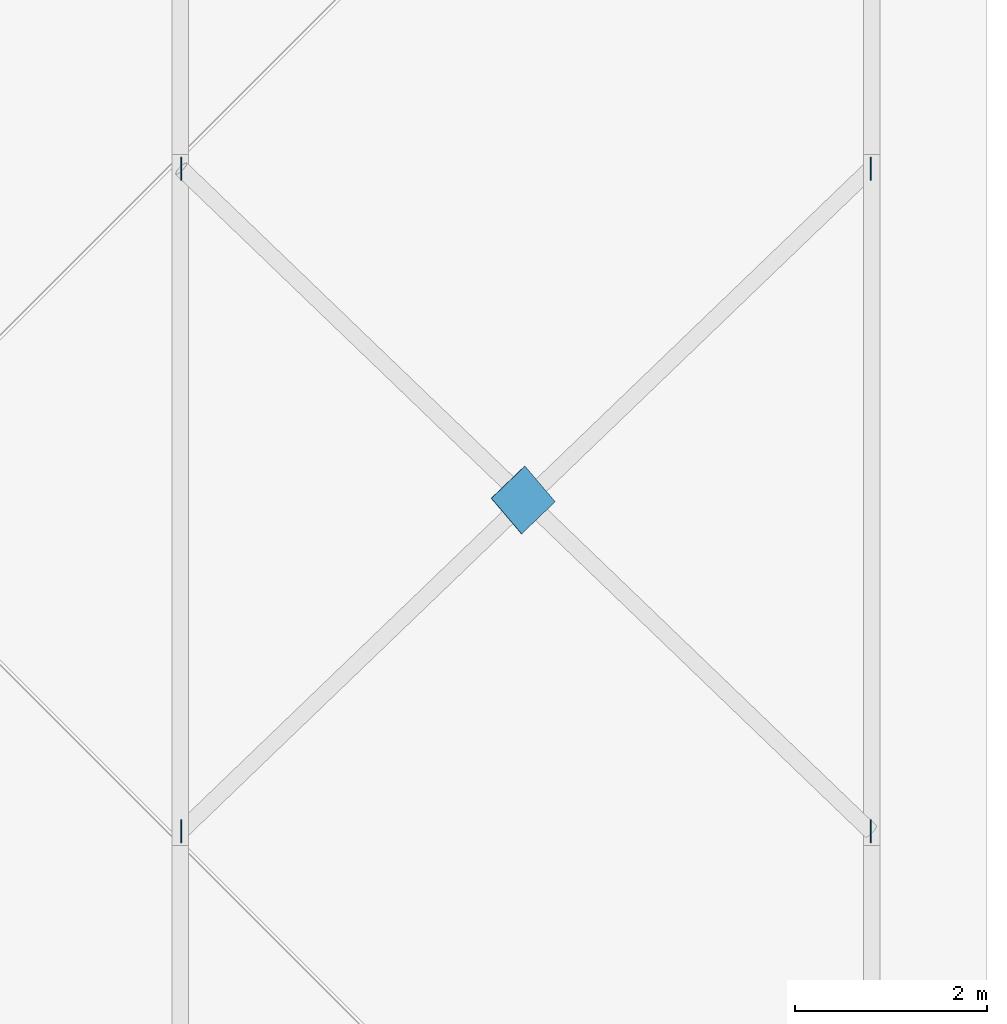
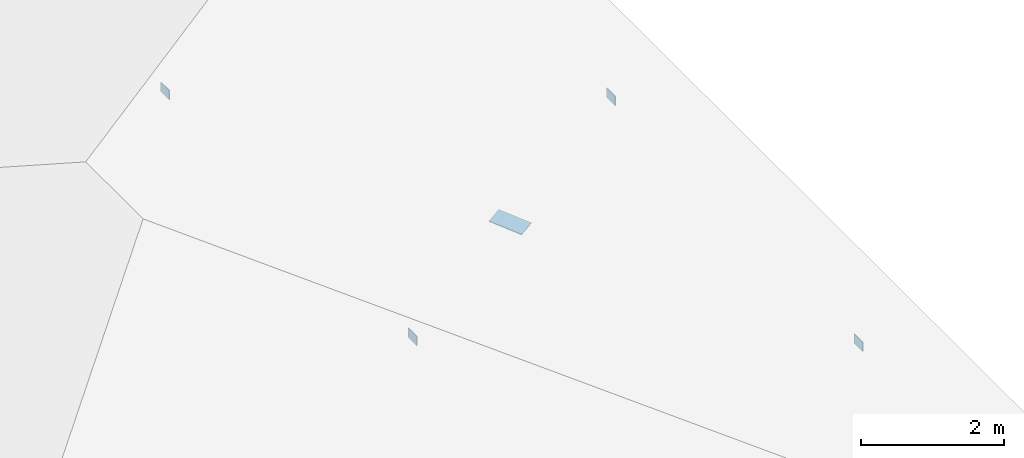
# One storey, part 30 of 54: 5 discrete accessories.
"""IFC4 building model written with IfcOpenShell, lengths in metres."""

from ifc_helpers import new_model, si_unit, direction, frame, origin, origin_2d, place, context, subcontext, project, spatial, rectangle, extrude, material, material_profile, profile_set, type_object, element, save


model = new_model("IFC4")

# Units and contexts
model_context = context("Model", 3, precision=1e-05, world=origin(), true_north=direction((0.0, 1.0)))
body_context = subcontext(model_context, "Body", "Model", "MODEL_VIEW")
ifc_project = project(units=[si_unit("LENGTHUNIT", "METRE"), si_unit("AREAUNIT", "SQUARE_METRE"), si_unit("VOLUMEUNIT", "CUBIC_METRE"), si_unit("PLANEANGLEUNIT", "RADIAN"), si_unit("MASSUNIT", "GRAM", prefix="KILO")], contexts=[model_context])

# Site, building, storey
site_placement = place(None, origin())
site = spatial("IfcSite", under=ifc_project, at=site_placement, CompositionType="ELEMENT")
building_placement = place(site_placement, origin())
building = spatial("IfcBuilding", under=site, at=building_placement, Name="Ussher Court Research Institute", CompositionType="ELEMENT")
storey_placement = place(building_placement, frame((0.0, 0.0, 14.39990234375)))
storey = spatial("IfcBuildingStorey", under=building, at=storey_placement, Name="L03", CompositionType="ELEMENT", Elevation=14.39990234375)

# Discrete accessories
ifc_material_1 = material(Name="Steel S355", Category="steel")
ifc_material_profile_1 = material_profile(ifc_material_1, rectangle(XDim=0.011962890625, YDim=0.239990234375, at=origin_2d()), Name="PL 12x240")
ifc_profile_set_1 = profile_set([ifc_material_profile_1], Name="Steel S355")
discrete_accessory_type_1 = type_object("IfcDiscreteAccessoryType", Name="End plate 12 mm", PredefinedType="ANCHORPLATE", material=ifc_profile_set_1)
discrete_accessory_1_placement = place(storey_placement, frame((96.610107421875, 76.14990234375, 2.655517578125), z_axis=(0.0, 0.0, 1.0), x_axis=(1.0, 0.0, 0.0)))
element("IfcDiscreteAccessory", 1, at=discrete_accessory_1_placement, inside=storey, type_object=discrete_accessory_type_1, Name="GP2 V3 L03-01", PredefinedType="ANCHORPLATE", context=body_context, shape_type="SweptSolid", body=[
    extrude(rectangle(XDim=0.011962890625, YDim=0.239990234375, at=origin_2d()), origin(), (0.0, 0.0, 1.0), 0.159912109375),
])
discrete_accessory_2_placement = place(storey_placement, frame((103.7900390625, 83.050048828125, 0.0419921875), z_axis=(0.0, 0.0, 1.0), x_axis=(1.0, 0.0, 0.0)))
element("IfcDiscreteAccessory", 2, at=discrete_accessory_2_placement, inside=storey, type_object=discrete_accessory_type_1, Name="GP2 V3 L03-02", PredefinedType="ANCHORPLATE", context=body_context, shape_type="SweptSolid", body=[
    extrude(rectangle(XDim=0.011962890625, YDim=0.239990234375, at=origin_2d()), origin(), (0.0, 0.0, 1.0), 0.16015625),
])
discrete_accessory_3_placement = place(storey_placement, frame((96.610107421875, 83.050048828125, 2.655517578125), z_axis=(0.0, 0.0, 1.0), x_axis=(1.0, 0.0, 0.0)))
element("IfcDiscreteAccessory", 3, at=discrete_accessory_3_placement, inside=storey, type_object=discrete_accessory_type_1, Name="GP2 V3 L03-03", PredefinedType="ANCHORPLATE", context=body_context, shape_type="SweptSolid", body=[
    extrude(rectangle(XDim=0.011962890625, YDim=0.239990234375, at=origin_2d()), origin(), (0.0, 0.0, 1.0), 0.159912109375),
])
discrete_accessory_4_placement = place(storey_placement, frame((103.7900390625, 76.14990234375, 0.0419921875), z_axis=(0.0, 0.0, 1.0), x_axis=(1.0, 0.0, 0.0)))
element("IfcDiscreteAccessory", 4, at=discrete_accessory_4_placement, inside=storey, type_object=discrete_accessory_type_1, Name="GP2 V3 L03-04", PredefinedType="ANCHORPLATE", context=body_context, shape_type="SweptSolid", body=[
    extrude(rectangle(XDim=0.011962890625, YDim=0.239990234375, at=origin_2d()), origin(), (0.0, 0.0, 1.0), 0.16015625),
])
ifc_material_2 = material(Name="Steel S355", Category="steel")
ifc_material_profile_2 = material_profile(ifc_material_2, rectangle(XDim=0.5, YDim=0.011962890625, at=origin_2d()), Name="PL 500x12")
ifc_profile_set_2 = profile_set([ifc_material_profile_2], Name="Steel S355")
discrete_accessory_type_2 = type_object("IfcDiscreteAccessoryType", Name="Gusset plate 12 mm", PredefinedType="ANCHORPLATE", material=ifc_profile_set_2)
discrete_accessory_5_placement = place(storey_placement, frame((99.995849609375, 79.432373046875, 1.410400390625), z_axis=(0.697231631185, 0.670377471721, -0.2538938713), x_axis=(0.629970311603, -0.742020235632, -0.229223420294)))
element("IfcDiscreteAccessory", 5, at=discrete_accessory_5_placement, inside=storey, type_object=discrete_accessory_type_2, Name="GP1 V3 L03-01", PredefinedType="ANCHORPLATE", context=body_context, shape_type="SweptSolid", body=[
    extrude(rectangle(XDim=0.5, YDim=0.011962890625, at=origin_2d()), origin(), (0.0, 0.0, 1.0), 0.5),
])

save(model, "model.ifc")
